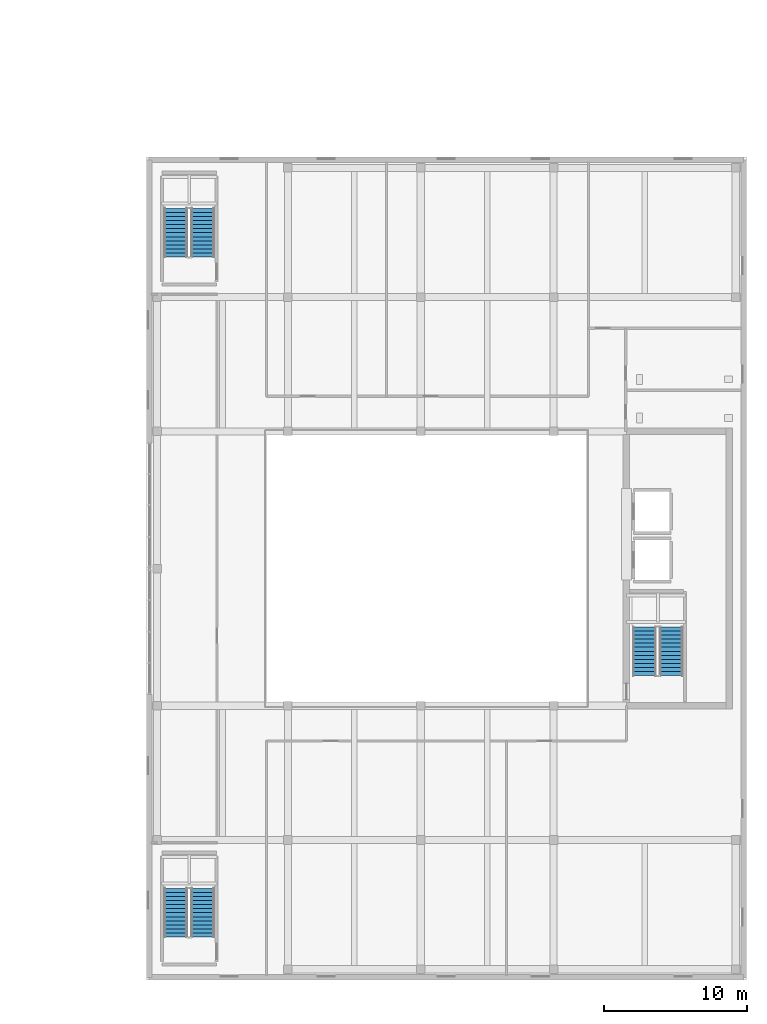
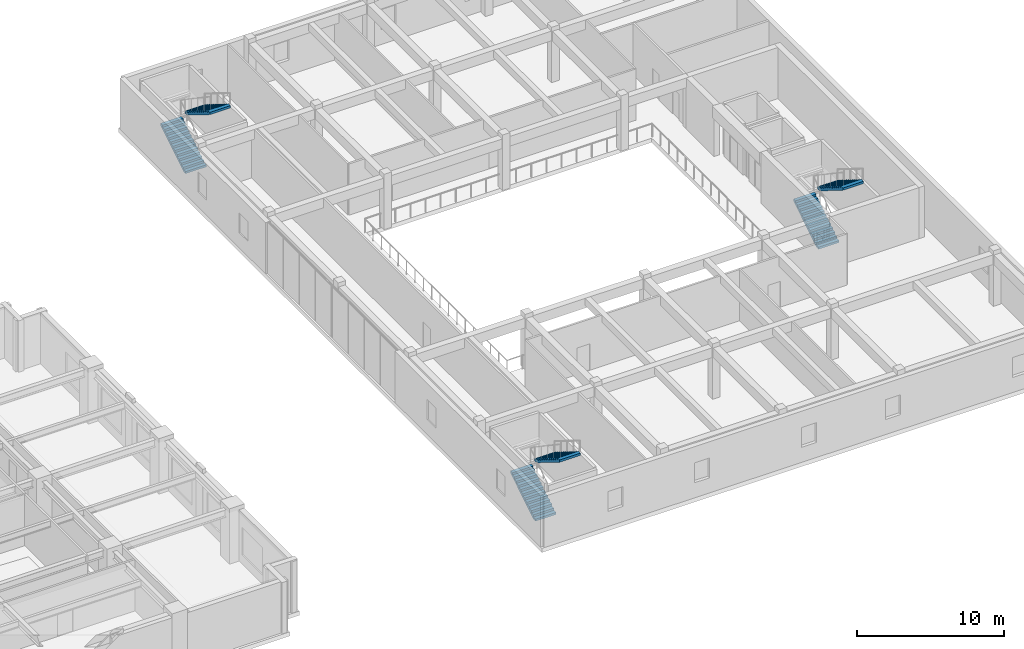
# One storey, part 13 of 24: 6 stair flights, 3 elements without a shape of their own.
"""IFC4 building model written with IfcOpenShell, lengths in metres."""

from ifc_helpers import new_model, si_unit, direction, frame, origin, place, context, subcontext, project, spatial, polyline, outline, extrude, material, type_object, element, aggregate, save


model = new_model("IFC4")

# Units and contexts
model_context = context("Model", 3, precision=1e-05, world=origin(), true_north=direction((0.0, 1.0)))
body_context = subcontext(model_context, "Body", "Model", "MODEL_VIEW")
ifc_project = project(units=[si_unit("LENGTHUNIT", "METRE"), si_unit("AREAUNIT", "SQUARE_METRE"), si_unit("VOLUMEUNIT", "CUBIC_METRE"), si_unit("PLANEANGLEUNIT", "RADIAN"), si_unit("MASSUNIT", "GRAM", prefix="KILO")], contexts=[model_context])

# Site, building, storey
site_placement = place(None, origin())
site = spatial("IfcSite", under=ifc_project, at=site_placement, CompositionType="ELEMENT")
building_placement = place(site_placement, origin())
building = spatial("IfcBuilding", under=site, at=building_placement, Name="Norrvale University Quadrangle", CompositionType="ELEMENT")
storey_placement = place(building_placement, frame((0.0, 0.0, 15.0)))
storey = spatial("IfcBuildingStorey", under=building, at=storey_placement, Name="L03", CompositionType="ELEMENT", Elevation=15.0)

# Stair, stair flights
ifc_material = material(Name="Concrete C40/50", Category="concrete")
stair_type = type_object("IfcStairType", Name="Stair Lib 4600", PredefinedType="TWO_STRAIGHT_RUN_STAIR", material=ifc_material)
stair_1_placement = place(storey_placement, origin())
stair_1 = element("IfcStair", 1, at=stair_1_placement, inside=storey, type_object=stair_type, Name="Exit Stair ST-L1 L03", PredefinedType="TWO_STRAIGHT_RUN_STAIR")
stair_flight_type = type_object("IfcStairFlightType", Name="Flight Lib 1550", PredefinedType="STRAIGHT", material=ifc_material)
stair_flight_1_placement = place(storey_placement, frame((120.050048828125, 21.300048828125, 0.0), z_axis=(0.0, 0.0, 1.0), x_axis=(0.0, 1.0, 0.0)))
stair_flight_1 = element("IfcStairFlight", 2, at=stair_flight_1_placement, type_object=stair_flight_type, Name="Exit Stair ST-L1 L03 Lower Flight", NumberOfRisers=13, NumberOfTreads=12, PredefinedType="STRAIGHT", RiserHeight=0.176923, TreadLength=0.285, context=body_context, shape_type="SweptSolid", body=[
    extrude(outline(polyline([(0.0, 0.0), (0.0, 0.177001953125), (0.284912109375, 0.177001953125), (0.284912109375, 0.353759765625), (0.570068359375, 0.353759765625), (0.570068359375, 0.53076171875), (0.85498046875, 0.53076171875), (0.85498046875, 0.707763671875), (1.139892578125, 0.707763671875), (1.139892578125, 0.884521484375), (1.425048828125, 0.884521484375), (1.425048828125, 1.0615234375), (1.7099609375, 1.0615234375), (1.7099609375, 1.238525390625), (1.9951171875, 1.238525390625), (1.9951171875, 1.415283203125), (2.280029296875, 1.415283203125), (2.280029296875, 1.59228515625), (2.56494140625, 1.59228515625), (2.56494140625, 1.769287109375), (2.85009765625, 1.769287109375), (2.85009765625, 1.946044921875), (3.135009765625, 1.946044921875), (3.135009765625, 2.123046875), (3.419921875, 2.123046875), (3.419921875, 2.300048828125), (3.419921875, 1.934814453125), (0.30322265625, 0.0), (0.0, 0.0)])), frame((0.0, 0.81005859375, 0.0), z_axis=(0.0, -1.0, 0.0), x_axis=(1.0, 0.0, 0.0)), (0.0, 0.0, 1.0), 1.6201171875),
])
stair_flight_2_placement = place(storey_placement, frame((121.949951171875, 24.719970703125, 2.300048828125), z_axis=(0.0, 0.0, 1.0), x_axis=(0.0, -1.0, 0.0)))
stair_flight_2 = element("IfcStairFlight", 3, at=stair_flight_2_placement, type_object=stair_flight_type, Name="Exit Stair ST-L1 L03 Upper Flight", NumberOfRisers=13, NumberOfTreads=12, PredefinedType="STRAIGHT", RiserHeight=0.176923, TreadLength=0.285, context=body_context, shape_type="SweptSolid", body=[
    extrude(outline(polyline([(0.0, 0.0), (0.0, 0.177001953125), (0.284912109375, 0.177001953125), (0.284912109375, 0.353759765625), (0.570068359375, 0.353759765625), (0.570068359375, 0.53076171875), (0.85498046875, 0.53076171875), (0.85498046875, 0.707763671875), (1.139892578125, 0.707763671875), (1.139892578125, 0.884521484375), (1.425048828125, 0.884521484375), (1.425048828125, 1.0615234375), (1.7099609375, 1.0615234375), (1.7099609375, 1.238525390625), (1.9951171875, 1.238525390625), (1.9951171875, 1.415283203125), (2.280029296875, 1.415283203125), (2.280029296875, 1.59228515625), (2.56494140625, 1.59228515625), (2.56494140625, 1.769287109375), (2.85009765625, 1.769287109375), (2.85009765625, 1.946044921875), (3.135009765625, 1.946044921875), (3.135009765625, 2.123046875), (3.419921875, 2.123046875), (3.419921875, 2.300048828125), (3.419921875, 1.934814453125), (0.30322265625, 0.0), (0.0, 0.0)])), frame((0.0, 0.81005859375, 0.0), z_axis=(0.0, -1.0, 0.0), x_axis=(1.0, 0.0, 0.0)), (0.0, 0.0, 1.0), 1.6201171875),
])
aggregate(stair_1, [stair_flight_1, stair_flight_2])

stair_2_placement = place(storey_placement, origin())
stair_2 = element("IfcStair", 4, at=stair_2_placement, inside=storey, type_object=stair_type, Name="Exit Stair ST-L2 L03", PredefinedType="TWO_STRAIGHT_RUN_STAIR")
stair_flight_3_placement = place(storey_placement, frame((87.25, 3.0, 0.0), z_axis=(0.0, 0.0, 1.0), x_axis=(0.0, 1.0, 0.0)))
stair_flight_3 = element("IfcStairFlight", 5, at=stair_flight_3_placement, type_object=stair_flight_type, Name="Exit Stair ST-L2 L03 Lower Flight", NumberOfRisers=13, NumberOfTreads=12, PredefinedType="STRAIGHT", RiserHeight=0.176923, TreadLength=0.285, context=body_context, shape_type="SweptSolid", body=[
    extrude(outline(polyline([(0.0, 0.0), (0.0, 0.177001953125), (0.284912109375, 0.177001953125), (0.284912109375, 0.353759765625), (0.570068359375, 0.353759765625), (0.570068359375, 0.53076171875), (0.85498046875, 0.53076171875), (0.85498046875, 0.707763671875), (1.139892578125, 0.707763671875), (1.139892578125, 0.884521484375), (1.425048828125, 0.884521484375), (1.425048828125, 1.0615234375), (1.7099609375, 1.0615234375), (1.7099609375, 1.238525390625), (1.9951171875, 1.238525390625), (1.9951171875, 1.415283203125), (2.280029296875, 1.415283203125), (2.280029296875, 1.59228515625), (2.56494140625, 1.59228515625), (2.56494140625, 1.769287109375), (2.85009765625, 1.769287109375), (2.85009765625, 1.946044921875), (3.135009765625, 1.946044921875), (3.135009765625, 2.123046875), (3.419921875, 2.123046875), (3.419921875, 2.300048828125), (3.419921875, 1.934814453125), (0.30322265625, 0.0), (0.0, 0.0)])), frame((0.0, 0.81005859375, 0.0), z_axis=(0.0, -1.0, 0.0), x_axis=(1.0, 0.0, 0.0)), (0.0, 0.0, 1.0), 1.6201171875),
])
stair_flight_4_placement = place(storey_placement, frame((89.14990234375, 6.419921875, 2.300048828125), z_axis=(0.0, 0.0, 1.0), x_axis=(0.0, -1.0, 0.0)))
stair_flight_4 = element("IfcStairFlight", 6, at=stair_flight_4_placement, type_object=stair_flight_type, Name="Exit Stair ST-L2 L03 Upper Flight", NumberOfRisers=13, NumberOfTreads=12, PredefinedType="STRAIGHT", RiserHeight=0.176923, TreadLength=0.285, context=body_context, shape_type="SweptSolid", body=[
    extrude(outline(polyline([(0.0, 0.0), (0.0, 0.177001953125), (0.284912109375, 0.177001953125), (0.284912109375, 0.353759765625), (0.570068359375, 0.353759765625), (0.570068359375, 0.53076171875), (0.85498046875, 0.53076171875), (0.85498046875, 0.707763671875), (1.139892578125, 0.707763671875), (1.139892578125, 0.884521484375), (1.425048828125, 0.884521484375), (1.425048828125, 1.0615234375), (1.7099609375, 1.0615234375), (1.7099609375, 1.238525390625), (1.9951171875, 1.238525390625), (1.9951171875, 1.415283203125), (2.280029296875, 1.415283203125), (2.280029296875, 1.59228515625), (2.56494140625, 1.59228515625), (2.56494140625, 1.769287109375), (2.85009765625, 1.769287109375), (2.85009765625, 1.946044921875), (3.135009765625, 1.946044921875), (3.135009765625, 2.123046875), (3.419921875, 2.123046875), (3.419921875, 2.300048828125), (3.419921875, 1.934814453125), (0.30322265625, 0.0), (0.0, 0.0)])), frame((0.0, 0.81005859375, 0.0), z_axis=(0.0, -1.0, 0.0), x_axis=(1.0, 0.0, 0.0)), (0.0, 0.0, 1.0), 1.6201171875),
])
aggregate(stair_2, [stair_flight_3, stair_flight_4])

stair_3_placement = place(storey_placement, origin())
stair_3 = element("IfcStair", 7, at=stair_3_placement, inside=storey, type_object=stair_type, Name="Exit Stair ST-L3 L03", PredefinedType="TWO_STRAIGHT_RUN_STAIR")
stair_flight_5_placement = place(storey_placement, frame((87.25, 50.60009765625, 0.0), z_axis=(0.0, 0.0, 1.0), x_axis=(0.0, 1.0, 0.0)))
stair_flight_5 = element("IfcStairFlight", 8, at=stair_flight_5_placement, type_object=stair_flight_type, Name="Exit Stair ST-L3 L03 Lower Flight", NumberOfRisers=13, NumberOfTreads=12, PredefinedType="STRAIGHT", RiserHeight=0.176923, TreadLength=0.285, context=body_context, shape_type="SweptSolid", body=[
    extrude(outline(polyline([(0.0, 0.0), (0.0, 0.177001953125), (0.284912109375, 0.177001953125), (0.284912109375, 0.353759765625), (0.570068359375, 0.353759765625), (0.570068359375, 0.53076171875), (0.85498046875, 0.53076171875), (0.85498046875, 0.707763671875), (1.139892578125, 0.707763671875), (1.139892578125, 0.884521484375), (1.425048828125, 0.884521484375), (1.425048828125, 1.0615234375), (1.7099609375, 1.0615234375), (1.7099609375, 1.238525390625), (1.9951171875, 1.238525390625), (1.9951171875, 1.415283203125), (2.280029296875, 1.415283203125), (2.280029296875, 1.59228515625), (2.56494140625, 1.59228515625), (2.56494140625, 1.769287109375), (2.85009765625, 1.769287109375), (2.85009765625, 1.946044921875), (3.135009765625, 1.946044921875), (3.135009765625, 2.123046875), (3.419921875, 2.123046875), (3.419921875, 2.300048828125), (3.419921875, 1.934814453125), (0.30322265625, 0.0), (0.0, 0.0)])), frame((0.0, 0.81005859375, 0.0), z_axis=(0.0, -1.0, 0.0), x_axis=(1.0, 0.0, 0.0)), (0.0, 0.0, 1.0), 1.6201171875),
])
stair_flight_6_placement = place(storey_placement, frame((89.14990234375, 54.02001953125, 2.300048828125), z_axis=(0.0, 0.0, 1.0), x_axis=(0.0, -1.0, 0.0)))
stair_flight_6 = element("IfcStairFlight", 9, at=stair_flight_6_placement, type_object=stair_flight_type, Name="Exit Stair ST-L3 L03 Upper Flight", NumberOfRisers=13, NumberOfTreads=12, PredefinedType="STRAIGHT", RiserHeight=0.176923, TreadLength=0.285, context=body_context, shape_type="SweptSolid", body=[
    extrude(outline(polyline([(0.0, 0.0), (0.0, 0.177001953125), (0.284912109375, 0.177001953125), (0.284912109375, 0.353759765625), (0.570068359375, 0.353759765625), (0.570068359375, 0.53076171875), (0.85498046875, 0.53076171875), (0.85498046875, 0.707763671875), (1.139892578125, 0.707763671875), (1.139892578125, 0.884521484375), (1.425048828125, 0.884521484375), (1.425048828125, 1.0615234375), (1.7099609375, 1.0615234375), (1.7099609375, 1.238525390625), (1.9951171875, 1.238525390625), (1.9951171875, 1.415283203125), (2.280029296875, 1.415283203125), (2.280029296875, 1.59228515625), (2.56494140625, 1.59228515625), (2.56494140625, 1.769287109375), (2.85009765625, 1.769287109375), (2.85009765625, 1.946044921875), (3.135009765625, 1.946044921875), (3.135009765625, 2.123046875), (3.419921875, 2.123046875), (3.419921875, 2.300048828125), (3.419921875, 1.934814453125), (0.30322265625, 0.0), (0.0, 0.0)])), frame((0.0, 0.81005859375, 0.0), z_axis=(0.0, -1.0, 0.0), x_axis=(1.0, 0.0, 0.0)), (0.0, 0.0, 1.0), 1.6201171875),
])
aggregate(stair_3, [stair_flight_5, stair_flight_6])

save(model, "model.ifc")
